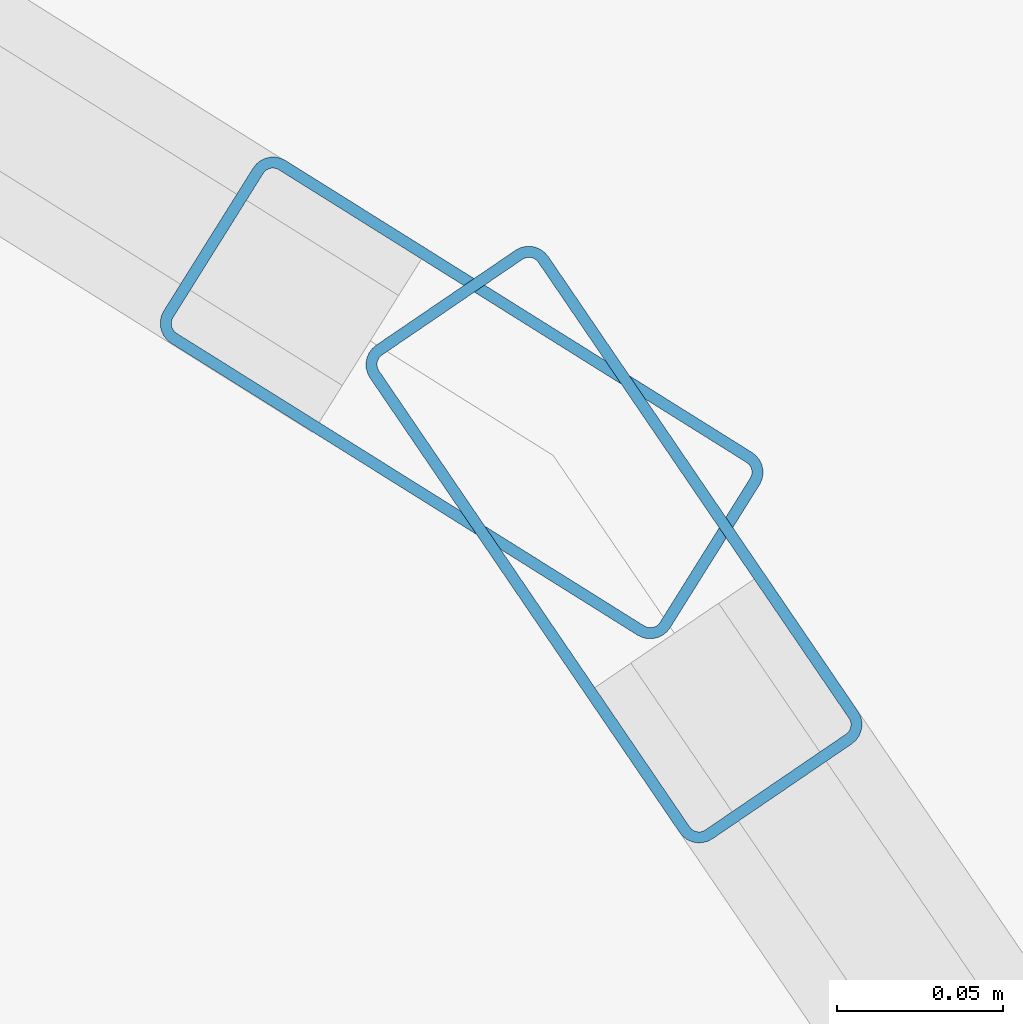
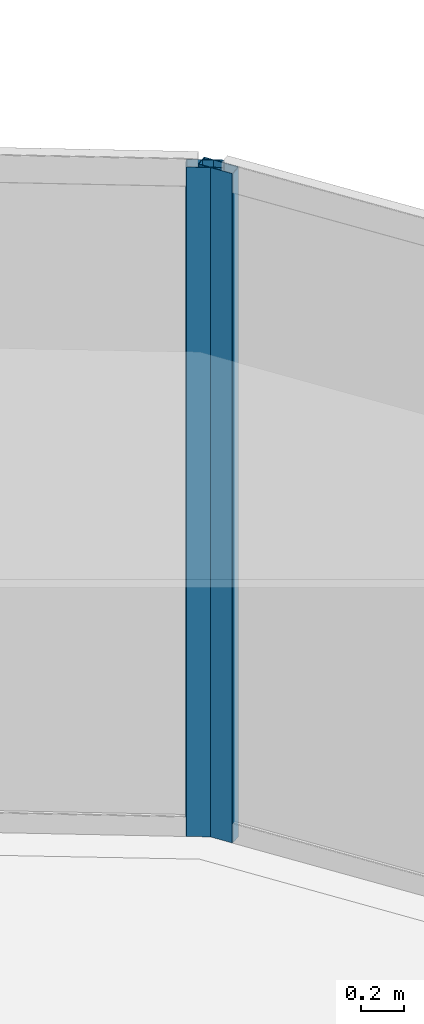
# One storey, part 18 of 33: 2 members, 2 elements without a shape of their own.
"""IFC4 building model written with IfcOpenShell, lengths in metres."""

from ifc_helpers import new_model, si_unit, direction, frame, origin, origin_2d, place, context, subcontext, project, spatial, hollow_rectangle, extrude, material, layer, layer_set, material_profile, profile_set, type_object, element, aggregate, save


model = new_model("IFC4")

# Units and contexts
model_context = context("Model", 3, precision=1e-05, world=origin(), true_north=direction((0.0, 1.0)))
body_context = subcontext(model_context, "Body", "Model", "MODEL_VIEW")
ifc_project = project(units=[si_unit("LENGTHUNIT", "METRE"), si_unit("AREAUNIT", "SQUARE_METRE"), si_unit("VOLUMEUNIT", "CUBIC_METRE"), si_unit("PLANEANGLEUNIT", "RADIAN"), si_unit("MASSUNIT", "GRAM", prefix="KILO")], contexts=[model_context])

# Site, building, storey
site_placement = place(None, origin())
site = spatial("IfcSite", under=ifc_project, at=site_placement, CompositionType="ELEMENT")
building_placement = place(site_placement, origin())
building = spatial("IfcBuilding", under=site, at=building_placement, Name="Qorvath Tower", CompositionType="ELEMENT")
storey_placement = place(building_placement, frame((0.0, 0.0, 237.449951171875)))
storey = spatial("IfcBuildingStorey", under=building, at=storey_placement, Name="L55", CompositionType="ELEMENT", Elevation=237.449951171875)

# Curtain wall, member
ifc_material_1 = material(Name="Anodised aluminium and triple low-E glass", Category="aluminium")
ifc_layer = layer(ifc_material_1, 0.179931640625)
ifc_layer_set = layer_set([ifc_layer], Name="CW-SYS-3")
curtain_wall_type = type_object("IfcCurtainWallType", Name="CW-SYS-3", PredefinedType="NOTDEFINED", material=ifc_layer_set)
curtain_wall_1_placement = place(storey_placement, origin())
curtain_wall_1 = element("IfcCurtainWall", 1, at=curtain_wall_1_placement, inside=storey, type_object=curtain_wall_type, Name="Curtain Wall CW-3 CW-T-L55-13.1", PredefinedType="NOTDEFINED")
ifc_material_2 = material(Name="Anodised aluminium 6063-T6", Category="aluminium")
ifc_material_profile = material_profile(ifc_material_2, hollow_rectangle(XDim=0.06494140625, YDim=0.179931640625, WallThickness=0.00341796875, InnerFilletRadius=0.00341796875, OuterFilletRadius=0.007080078125, at=origin_2d()), Name="CWM 180x65")
ifc_profile_set = profile_set([ifc_material_profile], Name="Anodised aluminium 6063-T6")
member_type = type_object("IfcMemberType", Name="CWM-180", PredefinedType="MULLION", material=ifc_profile_set)
member_1_placement = place(storey_placement, frame((-6.813232421875, 20.1494140625, 0.0), z_axis=(0.0, 0.0, 1.0), x_axis=(-0.826473596685, -0.562975482577, 0.0)))
member_1 = element("IfcMember", 2, at=member_1_placement, type_object=member_type, Name="CW-3 mullion 2", PredefinedType="MULLION", context=body_context, shape_type="SweptSolid", body=[
    extrude(hollow_rectangle(XDim=0.06494140625, YDim=0.179931640625, WallThickness=0.00341796875, InnerFilletRadius=0.00341796875, OuterFilletRadius=0.007080078125, at=origin_2d()), origin(), (0.0, 0.0, 1.0), 3.780029296875),
])
aggregate(curtain_wall_1, [member_1])

curtain_wall_2_placement = place(storey_placement, origin())
curtain_wall_2 = element("IfcCurtainWall", 3, at=curtain_wall_2_placement, inside=storey, type_object=curtain_wall_type, Name="Curtain Wall CW-3 CW-T-L55-14.1", PredefinedType="NOTDEFINED")
member_2_placement = place(storey_placement, frame((-6.859130859375, 20.193603515625, 0.0), z_axis=(0.0, 0.0, 1.0), x_axis=(-0.530497446671, -0.847686533499, 0.0)))
member_2 = element("IfcMember", 4, at=member_2_placement, type_object=member_type, Name="CW-3 mullion 1", PredefinedType="MULLION", context=body_context, shape_type="SweptSolid", body=[
    extrude(hollow_rectangle(XDim=0.06494140625, YDim=0.179931640625, WallThickness=0.00341796875, InnerFilletRadius=0.00341796875, OuterFilletRadius=0.007080078125, at=origin_2d()), origin(), (0.0, 0.0, 1.0), 3.780029296875),
])
aggregate(curtain_wall_2, [member_2])

save(model, "model.ifc")
